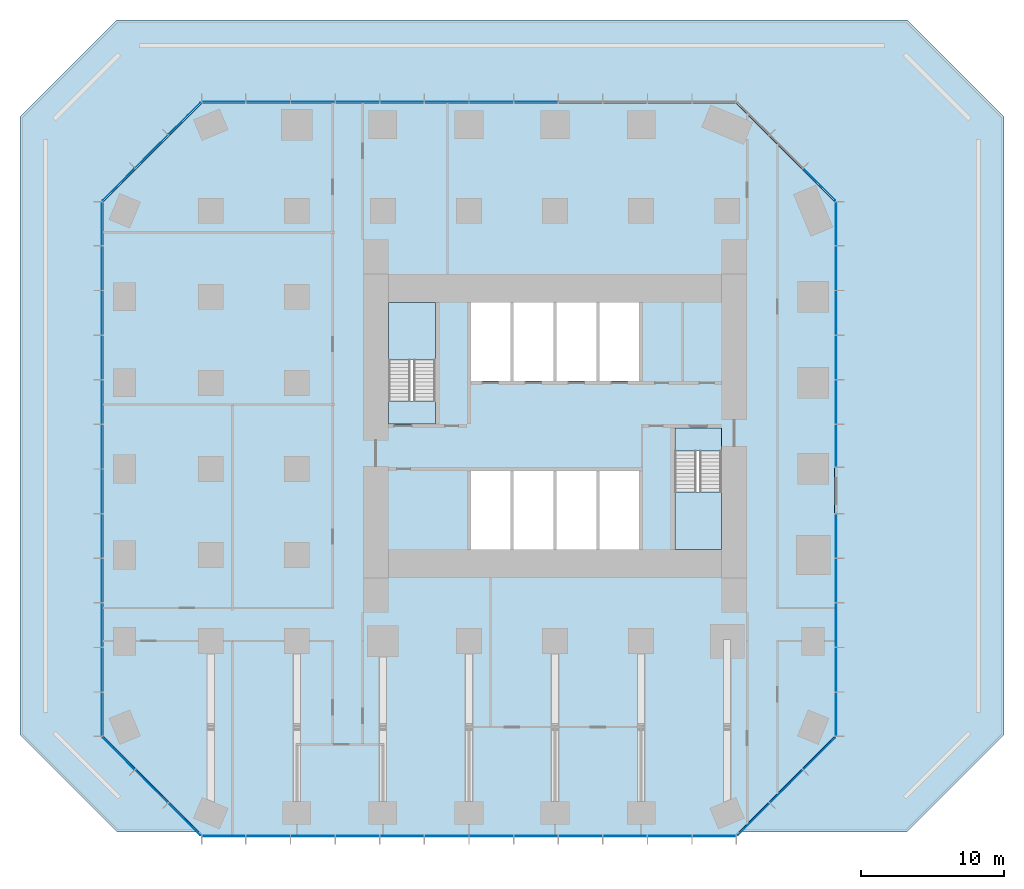
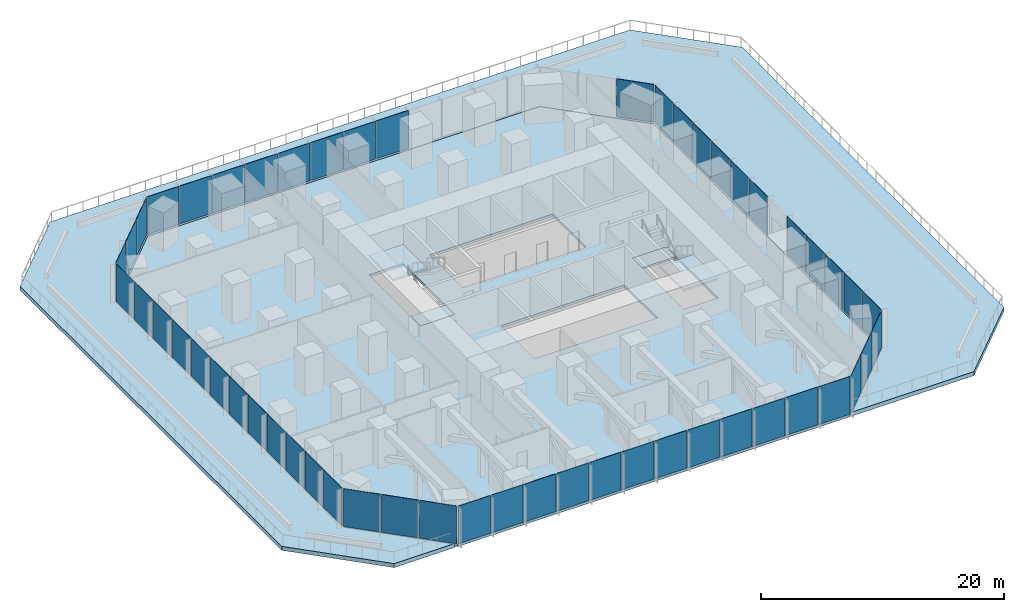
# One storey, part 7 of 11: 53 plates, 6 slabs, 11 elements without a shape of their own.
"""IFC4 building model written with IfcOpenShell, lengths in metres."""

from ifc_helpers import new_model, si_unit, direction, frame, origin, origin_2d, place, context, subcontext, project, spatial, polyline, rectangle, outline, extrude, material, layer, layer_set, type_object, element, aggregate, save


model = new_model("IFC4")

# Units and contexts
model_context = context("Model", 3, precision=1e-05, world=origin(), true_north=direction((0.0, 1.0)))
body_context = subcontext(model_context, "Body", "Model", "MODEL_VIEW")
ifc_project = project(units=[si_unit("LENGTHUNIT", "METRE"), si_unit("AREAUNIT", "SQUARE_METRE"), si_unit("VOLUMEUNIT", "CUBIC_METRE"), si_unit("PLANEANGLEUNIT", "RADIAN"), si_unit("MASSUNIT", "GRAM", prefix="KILO")], contexts=[model_context])

# Site, building, storey
site_placement = place(None, origin())
site = spatial("IfcSite", under=ifc_project, at=site_placement, CompositionType="ELEMENT")
building_placement = place(site_placement, origin())
building = spatial("IfcBuilding", under=site, at=building_placement, Name="Highveld Stack Headquarters", CompositionType="ELEMENT")
storey_placement = place(building_placement, frame((0.0, 0.0, 18.199951171875)))
storey = spatial("IfcBuildingStorey", under=building, at=storey_placement, Name="L03", CompositionType="ELEMENT", Elevation=18.199951171875)

# Curtain wall, plates
ifc_material_1 = material(Name="Aluminium bronze anodised", Category="aluminium")
ifc_layer_1 = layer(ifc_material_1, 0.199951171875)
ifc_layer_set_1 = layer_set([ifc_layer_1], Name="Aluminium bronze anodised")
curtain_wall_type_1 = type_object("IfcCurtainWallType", Name="CW1 TOWER UNITISED CURTAIN WALL", PredefinedType="NOTDEFINED", material=ifc_layer_set_1)
curtain_wall_1_placement = place(storey_placement, origin())
curtain_wall_1 = element("IfcCurtainWall", 1, at=curtain_wall_1_placement, inside=storey, type_object=curtain_wall_type_1, Name="Curtain wall CW1 L03 S", PredefinedType="NOTDEFINED")
ifc_material_2 = material(Name="Glass bronze tinted double glazed unit", Category="glass")
ifc_layer_2 = layer(ifc_material_2, 0.028076171875)
ifc_layer_set_2 = layer_set([ifc_layer_2], Name="Glass bronze tinted double glazed unit")
plate_type_1 = type_object("IfcPlateType", Name="CW1 PANEL BRONZE TINTED DOUBLE GLAZED UNIT", PredefinedType="CURTAIN_PANEL", material=ifc_layer_set_2)
plate_1_placement = place(storey_placement, frame((-17.09130859375, -25.60009765625, 0.10009765625), z_axis=(0.0, 0.0, 1.0), x_axis=(1.0, 0.0, 0.0)))
plate_1 = element("IfcPlate", 2, at=plate_1_placement, type_object=plate_type_1, Name="CW1 panel L03 1.1", PredefinedType="CURTAIN_PANEL", context=body_context, shape_type="SweptSolid", body=[
    extrude(rectangle(XDim=3.012939453125, YDim=0.028076171875, at=origin_2d()), origin(), (0.0, 0.0, 1.0), 3.800048828125),
])
plate_2_placement = place(storey_placement, frame((-13.9970703125, -25.60009765625, 0.10009765625), z_axis=(0.0, 0.0, 1.0), x_axis=(1.0, 0.0, 0.0)))
plate_2 = element("IfcPlate", 3, at=plate_2_placement, type_object=plate_type_1, Name="CW1 panel L03 2.1", PredefinedType="CURTAIN_PANEL", context=body_context, shape_type="SweptSolid", body=[
    extrude(rectangle(XDim=3.04541015625, YDim=0.028076171875, at=origin_2d()), origin(), (0.0, 0.0, 1.0), 3.800048828125),
])
plate_3_placement = place(storey_placement, frame((-10.88671875, -25.60009765625, 0.10009765625), z_axis=(0.0, 0.0, 1.0), x_axis=(1.0, 0.0, 0.0)))
plate_3 = element("IfcPlate", 4, at=plate_3_placement, type_object=plate_type_1, Name="CW1 panel L03 3.1", PredefinedType="CURTAIN_PANEL", context=body_context, shape_type="SweptSolid", body=[
    extrude(rectangle(XDim=3.04541015625, YDim=0.028076171875, at=origin_2d()), origin(), (0.0, 0.0, 1.0), 3.800048828125),
])
plate_4_placement = place(storey_placement, frame((-7.776123046875, -25.60009765625, 0.10009765625), z_axis=(0.0, 0.0, 1.0), x_axis=(1.0, 0.0, 0.0)))
plate_4 = element("IfcPlate", 5, at=plate_4_placement, type_object=plate_type_1, Name="CW1 panel L03 4.1", PredefinedType="CURTAIN_PANEL", context=body_context, shape_type="SweptSolid", body=[
    extrude(rectangle(XDim=3.04541015625, YDim=0.028076171875, at=origin_2d()), origin(), (0.0, 0.0, 1.0), 3.800048828125),
])
plate_5_placement = place(storey_placement, frame((-4.665771484375, -25.60009765625, 0.10009765625), z_axis=(0.0, 0.0, 1.0), x_axis=(1.0, 0.0, 0.0)))
plate_5 = element("IfcPlate", 6, at=plate_5_placement, type_object=plate_type_1, Name="CW1 panel L03 5.1", PredefinedType="CURTAIN_PANEL", context=body_context, shape_type="SweptSolid", body=[
    extrude(rectangle(XDim=3.04541015625, YDim=0.028076171875, at=origin_2d()), origin(), (0.0, 0.0, 1.0), 3.800048828125),
])
plate_6_placement = place(storey_placement, frame((-1.55517578125, -25.60009765625, 0.10009765625), z_axis=(0.0, 0.0, 1.0), x_axis=(1.0, 0.0, 0.0)))
plate_6 = element("IfcPlate", 7, at=plate_6_placement, type_object=plate_type_1, Name="CW1 panel L03 6.1", PredefinedType="CURTAIN_PANEL", context=body_context, shape_type="SweptSolid", body=[
    extrude(rectangle(XDim=3.04541015625, YDim=0.028076171875, at=origin_2d()), origin(), (0.0, 0.0, 1.0), 3.800048828125),
])
plate_7_placement = place(storey_placement, frame((1.55517578125, -25.60009765625, 0.10009765625), z_axis=(0.0, 0.0, 1.0), x_axis=(1.0, 0.0, 0.0)))
plate_7 = element("IfcPlate", 8, at=plate_7_placement, type_object=plate_type_1, Name="CW1 panel L03 7.1", PredefinedType="CURTAIN_PANEL", context=body_context, shape_type="SweptSolid", body=[
    extrude(rectangle(XDim=3.04541015625, YDim=0.028076171875, at=origin_2d()), origin(), (0.0, 0.0, 1.0), 3.800048828125),
])
plate_8_placement = place(storey_placement, frame((4.665771484375, -25.60009765625, 0.10009765625), z_axis=(0.0, 0.0, 1.0), x_axis=(1.0, 0.0, 0.0)))
plate_8 = element("IfcPlate", 9, at=plate_8_placement, type_object=plate_type_1, Name="CW1 panel L03 8.1", PredefinedType="CURTAIN_PANEL", context=body_context, shape_type="SweptSolid", body=[
    extrude(rectangle(XDim=3.04541015625, YDim=0.028076171875, at=origin_2d()), origin(), (0.0, 0.0, 1.0), 3.800048828125),
])
plate_9_placement = place(storey_placement, frame((7.776123046875, -25.60009765625, 0.10009765625), z_axis=(0.0, 0.0, 1.0), x_axis=(1.0, 0.0, 0.0)))
plate_9 = element("IfcPlate", 10, at=plate_9_placement, type_object=plate_type_1, Name="CW1 panel L03 9.1", PredefinedType="CURTAIN_PANEL", context=body_context, shape_type="SweptSolid", body=[
    extrude(rectangle(XDim=3.04541015625, YDim=0.028076171875, at=origin_2d()), origin(), (0.0, 0.0, 1.0), 3.800048828125),
])
plate_10_placement = place(storey_placement, frame((10.88671875, -25.60009765625, 0.10009765625), z_axis=(0.0, 0.0, 1.0), x_axis=(1.0, 0.0, 0.0)))
plate_10 = element("IfcPlate", 11, at=plate_10_placement, type_object=plate_type_1, Name="CW1 panel L03 10.1", PredefinedType="CURTAIN_PANEL", context=body_context, shape_type="SweptSolid", body=[
    extrude(rectangle(XDim=3.04541015625, YDim=0.028076171875, at=origin_2d()), origin(), (0.0, 0.0, 1.0), 3.800048828125),
])
plate_11_placement = place(storey_placement, frame((13.9970703125, -25.60009765625, 0.10009765625), z_axis=(0.0, 0.0, 1.0), x_axis=(1.0, 0.0, 0.0)))
plate_11 = element("IfcPlate", 12, at=plate_11_placement, type_object=plate_type_1, Name="CW1 panel L03 11.1", PredefinedType="CURTAIN_PANEL", context=body_context, shape_type="SweptSolid", body=[
    extrude(rectangle(XDim=3.04541015625, YDim=0.028076171875, at=origin_2d()), origin(), (0.0, 0.0, 1.0), 3.800048828125),
])
plate_12_placement = place(storey_placement, frame((17.09130859375, -25.60009765625, 0.10009765625), z_axis=(0.0, 0.0, 1.0), x_axis=(1.0, 0.0, 0.0)))
plate_12 = element("IfcPlate", 13, at=plate_12_placement, type_object=plate_type_1, Name="CW1 panel L03 12.1", PredefinedType="CURTAIN_PANEL", context=body_context, shape_type="SweptSolid", body=[
    extrude(rectangle(XDim=3.012939453125, YDim=0.028076171875, at=origin_2d()), origin(), (0.0, 0.0, 1.0), 3.800048828125),
])
aggregate(curtain_wall_1, [plate_1, plate_2, plate_3, plate_4, plate_5, plate_6, plate_7, plate_8, plate_9, plate_10, plate_11, plate_12])

curtain_wall_2_placement = place(storey_placement, origin())
curtain_wall_2 = element("IfcCurtainWall", 14, at=curtain_wall_2_placement, inside=storey, type_object=curtain_wall_type_1, Name="Curtain wall CW1 L03 E-1", PredefinedType="NOTDEFINED")
plate_13_placement = place(storey_placement, frame((25.60009765625, -17.09130859375, 0.10009765625), z_axis=(0.0, 0.0, 1.0), x_axis=(0.0, 1.0, 0.0)))
plate_13 = element("IfcPlate", 15, at=plate_13_placement, type_object=plate_type_1, Name="CW1 panel L03 1.1", PredefinedType="CURTAIN_PANEL", context=body_context, shape_type="SweptSolid", body=[
    extrude(rectangle(XDim=3.012939453125, YDim=0.028076171875, at=origin_2d()), origin(), (0.0, 0.0, 1.0), 3.800048828125),
])
plate_14_placement = place(storey_placement, frame((25.60009765625, -13.9970703125, 0.10009765625), z_axis=(0.0, 0.0, 1.0), x_axis=(0.0, 1.0, 0.0)))
plate_14 = element("IfcPlate", 16, at=plate_14_placement, type_object=plate_type_1, Name="CW1 panel L03 2.1", PredefinedType="CURTAIN_PANEL", context=body_context, shape_type="SweptSolid", body=[
    extrude(rectangle(XDim=3.04541015625, YDim=0.028076171875, at=origin_2d()), origin(), (0.0, 0.0, 1.0), 3.800048828125),
])
plate_15_placement = place(storey_placement, frame((25.60009765625, -10.88671875, 0.10009765625), z_axis=(0.0, 0.0, 1.0), x_axis=(0.0, 1.0, 0.0)))
plate_15 = element("IfcPlate", 17, at=plate_15_placement, type_object=plate_type_1, Name="CW1 panel L03 3.1", PredefinedType="CURTAIN_PANEL", context=body_context, shape_type="SweptSolid", body=[
    extrude(rectangle(XDim=3.04541015625, YDim=0.028076171875, at=origin_2d()), origin(), (0.0, 0.0, 1.0), 3.800048828125),
])
plate_16_placement = place(storey_placement, frame((25.60009765625, -7.776123046875, 0.10009765625), z_axis=(0.0, 0.0, 1.0), x_axis=(0.0, 1.0, 0.0)))
plate_16 = element("IfcPlate", 18, at=plate_16_placement, type_object=plate_type_1, Name="CW1 panel L03 4.1", PredefinedType="CURTAIN_PANEL", context=body_context, shape_type="SweptSolid", body=[
    extrude(rectangle(XDim=3.04541015625, YDim=0.028076171875, at=origin_2d()), origin(), (0.0, 0.0, 1.0), 3.800048828125),
])
plate_17_placement = place(storey_placement, frame((25.60009765625, -4.665771484375, 0.10009765625), z_axis=(0.0, 0.0, 1.0), x_axis=(0.0, 1.0, 0.0)))
plate_17 = element("IfcPlate", 19, at=plate_17_placement, type_object=plate_type_1, Name="CW1 panel L03 5.1", PredefinedType="CURTAIN_PANEL", context=body_context, shape_type="SweptSolid", body=[
    extrude(rectangle(XDim=3.04541015625, YDim=0.028076171875, at=origin_2d()), origin(), (0.0, 0.0, 1.0), 3.800048828125),
])
aggregate(curtain_wall_2, [plate_13, plate_14, plate_15, plate_16, plate_17])

curtain_wall_3_placement = place(storey_placement, origin())
curtain_wall_3 = element("IfcCurtainWall", 20, at=curtain_wall_3_placement, inside=storey, type_object=curtain_wall_type_1, Name="Curtain wall CW1 L03 E-2", PredefinedType="NOTDEFINED")
plate_18_placement = place(storey_placement, frame((25.60009765625, 1.60888671875, 0.10009765625), z_axis=(0.0, 0.0, 1.0), x_axis=(0.0, 1.0, 0.0)))
plate_18 = element("IfcPlate", 21, at=plate_18_placement, type_object=plate_type_1, Name="CW1 panel L03 7.1", PredefinedType="CURTAIN_PANEL", context=body_context, shape_type="SweptSolid", body=[
    extrude(rectangle(XDim=2.93798828125, YDim=0.028076171875, at=origin_2d()), origin(), (0.0, 0.0, 1.0), 3.800048828125),
])
plate_19_placement = place(storey_placement, frame((25.60009765625, 4.665771484375, 0.10009765625), z_axis=(0.0, 0.0, 1.0), x_axis=(0.0, 1.0, 0.0)))
plate_19 = element("IfcPlate", 22, at=plate_19_placement, type_object=plate_type_1, Name="CW1 panel L03 8.1", PredefinedType="CURTAIN_PANEL", context=body_context, shape_type="SweptSolid", body=[
    extrude(rectangle(XDim=3.04541015625, YDim=0.028076171875, at=origin_2d()), origin(), (0.0, 0.0, 1.0), 3.800048828125),
])
plate_20_placement = place(storey_placement, frame((25.60009765625, 7.776123046875, 0.10009765625), z_axis=(0.0, 0.0, 1.0), x_axis=(0.0, 1.0, 0.0)))
plate_20 = element("IfcPlate", 23, at=plate_20_placement, type_object=plate_type_1, Name="CW1 panel L03 9.1", PredefinedType="CURTAIN_PANEL", context=body_context, shape_type="SweptSolid", body=[
    extrude(rectangle(XDim=3.04541015625, YDim=0.028076171875, at=origin_2d()), origin(), (0.0, 0.0, 1.0), 3.800048828125),
])
plate_21_placement = place(storey_placement, frame((25.60009765625, 10.88671875, 0.10009765625), z_axis=(0.0, 0.0, 1.0), x_axis=(0.0, 1.0, 0.0)))
plate_21 = element("IfcPlate", 24, at=plate_21_placement, type_object=plate_type_1, Name="CW1 panel L03 10.1", PredefinedType="CURTAIN_PANEL", context=body_context, shape_type="SweptSolid", body=[
    extrude(rectangle(XDim=3.04541015625, YDim=0.028076171875, at=origin_2d()), origin(), (0.0, 0.0, 1.0), 3.800048828125),
])
plate_22_placement = place(storey_placement, frame((25.60009765625, 13.9970703125, 0.10009765625), z_axis=(0.0, 0.0, 1.0), x_axis=(0.0, 1.0, 0.0)))
plate_22 = element("IfcPlate", 25, at=plate_22_placement, type_object=plate_type_1, Name="CW1 panel L03 11.1", PredefinedType="CURTAIN_PANEL", context=body_context, shape_type="SweptSolid", body=[
    extrude(rectangle(XDim=3.04541015625, YDim=0.028076171875, at=origin_2d()), origin(), (0.0, 0.0, 1.0), 3.800048828125),
])
plate_23_placement = place(storey_placement, frame((25.60009765625, 17.09130859375, 0.10009765625), z_axis=(0.0, 0.0, 1.0), x_axis=(0.0, 1.0, 0.0)))
plate_23 = element("IfcPlate", 26, at=plate_23_placement, type_object=plate_type_1, Name="CW1 panel L03 12.1", PredefinedType="CURTAIN_PANEL", context=body_context, shape_type="SweptSolid", body=[
    extrude(rectangle(XDim=3.012939453125, YDim=0.028076171875, at=origin_2d()), origin(), (0.0, 0.0, 1.0), 3.800048828125),
])
aggregate(curtain_wall_3, [plate_18, plate_19, plate_20, plate_21, plate_22, plate_23])

curtain_wall_4_placement = place(storey_placement, origin())
curtain_wall_4 = element("IfcCurtainWall", 27, at=curtain_wall_4_placement, inside=storey, type_object=curtain_wall_type_1, Name="Curtain wall CW1 L03 N", PredefinedType="NOTDEFINED")
plate_24_placement = place(storey_placement, frame((4.665771484375, 25.60009765625, 0.10009765625), z_axis=(0.0, 0.0, 1.0), x_axis=(-1.0, 0.0, 0.0)))
plate_24 = element("IfcPlate", 28, at=plate_24_placement, type_object=plate_type_1, Name="CW1 panel L03 5.1", PredefinedType="CURTAIN_PANEL", context=body_context, shape_type="SweptSolid", body=[
    extrude(rectangle(XDim=3.04541015625, YDim=0.028076171875, at=origin_2d()), origin(), (0.0, 0.0, 1.0), 3.800048828125),
])
plate_25_placement = place(storey_placement, frame((1.55517578125, 25.60009765625, 0.10009765625), z_axis=(0.0, 0.0, 1.0), x_axis=(-1.0, 0.0, 0.0)))
plate_25 = element("IfcPlate", 29, at=plate_25_placement, type_object=plate_type_1, Name="CW1 panel L03 6.1", PredefinedType="CURTAIN_PANEL", context=body_context, shape_type="SweptSolid", body=[
    extrude(rectangle(XDim=3.04541015625, YDim=0.028076171875, at=origin_2d()), origin(), (0.0, 0.0, 1.0), 3.800048828125),
])
plate_26_placement = place(storey_placement, frame((-1.55517578125, 25.60009765625, 0.10009765625), z_axis=(0.0, 0.0, 1.0), x_axis=(-1.0, 0.0, 0.0)))
plate_26 = element("IfcPlate", 30, at=plate_26_placement, type_object=plate_type_1, Name="CW1 panel L03 7.1", PredefinedType="CURTAIN_PANEL", context=body_context, shape_type="SweptSolid", body=[
    extrude(rectangle(XDim=3.04541015625, YDim=0.028076171875, at=origin_2d()), origin(), (0.0, 0.0, 1.0), 3.800048828125),
])
plate_27_placement = place(storey_placement, frame((-4.665771484375, 25.60009765625, 0.10009765625), z_axis=(0.0, 0.0, 1.0), x_axis=(-1.0, 0.0, 0.0)))
plate_27 = element("IfcPlate", 31, at=plate_27_placement, type_object=plate_type_1, Name="CW1 panel L03 8.1", PredefinedType="CURTAIN_PANEL", context=body_context, shape_type="SweptSolid", body=[
    extrude(rectangle(XDim=3.04541015625, YDim=0.028076171875, at=origin_2d()), origin(), (0.0, 0.0, 1.0), 3.800048828125),
])
plate_28_placement = place(storey_placement, frame((-7.776123046875, 25.60009765625, 0.10009765625), z_axis=(0.0, 0.0, 1.0), x_axis=(-1.0, 0.0, 0.0)))
plate_28 = element("IfcPlate", 32, at=plate_28_placement, type_object=plate_type_1, Name="CW1 panel L03 9.1", PredefinedType="CURTAIN_PANEL", context=body_context, shape_type="SweptSolid", body=[
    extrude(rectangle(XDim=3.04541015625, YDim=0.028076171875, at=origin_2d()), origin(), (0.0, 0.0, 1.0), 3.800048828125),
])
plate_29_placement = place(storey_placement, frame((-10.88671875, 25.60009765625, 0.10009765625), z_axis=(0.0, 0.0, 1.0), x_axis=(-1.0, 0.0, 0.0)))
plate_29 = element("IfcPlate", 33, at=plate_29_placement, type_object=plate_type_1, Name="CW1 panel L03 10.1", PredefinedType="CURTAIN_PANEL", context=body_context, shape_type="SweptSolid", body=[
    extrude(rectangle(XDim=3.04541015625, YDim=0.028076171875, at=origin_2d()), origin(), (0.0, 0.0, 1.0), 3.800048828125),
])
plate_30_placement = place(storey_placement, frame((-13.9970703125, 25.60009765625, 0.10009765625), z_axis=(0.0, 0.0, 1.0), x_axis=(-1.0, 0.0, 0.0)))
plate_30 = element("IfcPlate", 34, at=plate_30_placement, type_object=plate_type_1, Name="CW1 panel L03 11.1", PredefinedType="CURTAIN_PANEL", context=body_context, shape_type="SweptSolid", body=[
    extrude(rectangle(XDim=3.04541015625, YDim=0.028076171875, at=origin_2d()), origin(), (0.0, 0.0, 1.0), 3.800048828125),
])
plate_31_placement = place(storey_placement, frame((-17.09130859375, 25.60009765625, 0.10009765625), z_axis=(0.0, 0.0, 1.0), x_axis=(-1.0, 0.0, 0.0)))
plate_31 = element("IfcPlate", 35, at=plate_31_placement, type_object=plate_type_1, Name="CW1 panel L03 12.1", PredefinedType="CURTAIN_PANEL", context=body_context, shape_type="SweptSolid", body=[
    extrude(rectangle(XDim=3.012939453125, YDim=0.028076171875, at=origin_2d()), origin(), (0.0, 0.0, 1.0), 3.800048828125),
])
aggregate(curtain_wall_4, [plate_24, plate_25, plate_26, plate_27, plate_28, plate_29, plate_30, plate_31])

curtain_wall_5_placement = place(storey_placement, origin())
curtain_wall_5 = element("IfcCurtainWall", 36, at=curtain_wall_5_placement, inside=storey, type_object=curtain_wall_type_1, Name="Curtain wall CW1 L03 W", PredefinedType="NOTDEFINED")
plate_32_placement = place(storey_placement, frame((-25.60009765625, 17.09130859375, 0.10009765625), z_axis=(0.0, 0.0, 1.0), x_axis=(0.0, -1.0, 0.0)))
plate_32 = element("IfcPlate", 37, at=plate_32_placement, type_object=plate_type_1, Name="CW1 panel L03 1.1", PredefinedType="CURTAIN_PANEL", context=body_context, shape_type="SweptSolid", body=[
    extrude(rectangle(XDim=3.012939453125, YDim=0.028076171875, at=origin_2d()), origin(), (0.0, 0.0, 1.0), 3.800048828125),
])
plate_33_placement = place(storey_placement, frame((-25.60009765625, 13.9970703125, 0.10009765625), z_axis=(0.0, 0.0, 1.0), x_axis=(0.0, -1.0, 0.0)))
plate_33 = element("IfcPlate", 38, at=plate_33_placement, type_object=plate_type_1, Name="CW1 panel L03 2.1", PredefinedType="CURTAIN_PANEL", context=body_context, shape_type="SweptSolid", body=[
    extrude(rectangle(XDim=3.04541015625, YDim=0.028076171875, at=origin_2d()), origin(), (0.0, 0.0, 1.0), 3.800048828125),
])
plate_34_placement = place(storey_placement, frame((-25.60009765625, 10.88671875, 0.10009765625), z_axis=(0.0, 0.0, 1.0), x_axis=(0.0, -1.0, 0.0)))
plate_34 = element("IfcPlate", 39, at=plate_34_placement, type_object=plate_type_1, Name="CW1 panel L03 3.1", PredefinedType="CURTAIN_PANEL", context=body_context, shape_type="SweptSolid", body=[
    extrude(rectangle(XDim=3.04541015625, YDim=0.028076171875, at=origin_2d()), origin(), (0.0, 0.0, 1.0), 3.800048828125),
])
plate_35_placement = place(storey_placement, frame((-25.60009765625, 7.776123046875, 0.10009765625), z_axis=(0.0, 0.0, 1.0), x_axis=(0.0, -1.0, 0.0)))
plate_35 = element("IfcPlate", 40, at=plate_35_placement, type_object=plate_type_1, Name="CW1 panel L03 4.1", PredefinedType="CURTAIN_PANEL", context=body_context, shape_type="SweptSolid", body=[
    extrude(rectangle(XDim=3.04541015625, YDim=0.028076171875, at=origin_2d()), origin(), (0.0, 0.0, 1.0), 3.800048828125),
])
plate_36_placement = place(storey_placement, frame((-25.60009765625, 4.665771484375, 0.10009765625), z_axis=(0.0, 0.0, 1.0), x_axis=(0.0, -1.0, 0.0)))
plate_36 = element("IfcPlate", 41, at=plate_36_placement, type_object=plate_type_1, Name="CW1 panel L03 5.1", PredefinedType="CURTAIN_PANEL", context=body_context, shape_type="SweptSolid", body=[
    extrude(rectangle(XDim=3.04541015625, YDim=0.028076171875, at=origin_2d()), origin(), (0.0, 0.0, 1.0), 3.800048828125),
])
plate_37_placement = place(storey_placement, frame((-25.60009765625, 1.55517578125, 0.10009765625), z_axis=(0.0, 0.0, 1.0), x_axis=(0.0, -1.0, 0.0)))
plate_37 = element("IfcPlate", 42, at=plate_37_placement, type_object=plate_type_1, Name="CW1 panel L03 6.1", PredefinedType="CURTAIN_PANEL", context=body_context, shape_type="SweptSolid", body=[
    extrude(rectangle(XDim=3.04541015625, YDim=0.028076171875, at=origin_2d()), origin(), (0.0, 0.0, 1.0), 3.800048828125),
])
plate_38_placement = place(storey_placement, frame((-25.60009765625, -1.55517578125, 0.10009765625), z_axis=(0.0, 0.0, 1.0), x_axis=(0.0, -1.0, 0.0)))
plate_38 = element("IfcPlate", 43, at=plate_38_placement, type_object=plate_type_1, Name="CW1 panel L03 7.1", PredefinedType="CURTAIN_PANEL", context=body_context, shape_type="SweptSolid", body=[
    extrude(rectangle(XDim=3.04541015625, YDim=0.028076171875, at=origin_2d()), origin(), (0.0, 0.0, 1.0), 3.800048828125),
])
plate_39_placement = place(storey_placement, frame((-25.60009765625, -4.665771484375, 0.10009765625), z_axis=(0.0, 0.0, 1.0), x_axis=(0.0, -1.0, 0.0)))
plate_39 = element("IfcPlate", 44, at=plate_39_placement, type_object=plate_type_1, Name="CW1 panel L03 8.1", PredefinedType="CURTAIN_PANEL", context=body_context, shape_type="SweptSolid", body=[
    extrude(rectangle(XDim=3.04541015625, YDim=0.028076171875, at=origin_2d()), origin(), (0.0, 0.0, 1.0), 3.800048828125),
])
plate_40_placement = place(storey_placement, frame((-25.60009765625, -7.776123046875, 0.10009765625), z_axis=(0.0, 0.0, 1.0), x_axis=(0.0, -1.0, 0.0)))
plate_40 = element("IfcPlate", 45, at=plate_40_placement, type_object=plate_type_1, Name="CW1 panel L03 9.1", PredefinedType="CURTAIN_PANEL", context=body_context, shape_type="SweptSolid", body=[
    extrude(rectangle(XDim=3.04541015625, YDim=0.028076171875, at=origin_2d()), origin(), (0.0, 0.0, 1.0), 3.800048828125),
])
plate_41_placement = place(storey_placement, frame((-25.60009765625, -10.88671875, 0.10009765625), z_axis=(0.0, 0.0, 1.0), x_axis=(0.0, -1.0, 0.0)))
plate_41 = element("IfcPlate", 46, at=plate_41_placement, type_object=plate_type_1, Name="CW1 panel L03 10.1", PredefinedType="CURTAIN_PANEL", context=body_context, shape_type="SweptSolid", body=[
    extrude(rectangle(XDim=3.04541015625, YDim=0.028076171875, at=origin_2d()), origin(), (0.0, 0.0, 1.0), 3.800048828125),
])
plate_42_placement = place(storey_placement, frame((-25.60009765625, -13.9970703125, 0.10009765625), z_axis=(0.0, 0.0, 1.0), x_axis=(0.0, -1.0, 0.0)))
plate_42 = element("IfcPlate", 47, at=plate_42_placement, type_object=plate_type_1, Name="CW1 panel L03 11.1", PredefinedType="CURTAIN_PANEL", context=body_context, shape_type="SweptSolid", body=[
    extrude(rectangle(XDim=3.04541015625, YDim=0.028076171875, at=origin_2d()), origin(), (0.0, 0.0, 1.0), 3.800048828125),
])
plate_43_placement = place(storey_placement, frame((-25.60009765625, -17.09130859375, 0.10009765625), z_axis=(0.0, 0.0, 1.0), x_axis=(0.0, -1.0, 0.0)))
plate_43 = element("IfcPlate", 48, at=plate_43_placement, type_object=plate_type_1, Name="CW1 panel L03 12.1", PredefinedType="CURTAIN_PANEL", context=body_context, shape_type="SweptSolid", body=[
    extrude(rectangle(XDim=3.012939453125, YDim=0.028076171875, at=origin_2d()), origin(), (0.0, 0.0, 1.0), 3.800048828125),
])
aggregate(curtain_wall_5, [plate_32, plate_33, plate_34, plate_35, plate_36, plate_37, plate_38, plate_39, plate_40, plate_41, plate_42, plate_43])

ifc_material_3 = material(Name="Aluminium bronze anodised", Category="aluminium")
ifc_layer_3 = layer(ifc_material_3, 0.199951171875)
ifc_layer_set_3 = layer_set([ifc_layer_3], Name="Aluminium bronze anodised")
curtain_wall_type_2 = type_object("IfcCurtainWallType", Name="CW2 TOWER CHAMFER UNITISED CURTAIN WALL", PredefinedType="NOTDEFINED", material=ifc_layer_set_3)
curtain_wall_6_placement = place(storey_placement, origin())
curtain_wall_6 = element("IfcCurtainWall", 49, at=curtain_wall_6_placement, inside=storey, type_object=curtain_wall_type_2, Name="Curtain wall CW2 L03 SE", PredefinedType="NOTDEFINED")
ifc_material_4 = material(Name="Glass bronze tinted double glazed unit", Category="glass")
ifc_layer_4 = layer(ifc_material_4, 0.028076171875)
ifc_layer_set_4 = layer_set([ifc_layer_4], Name="Glass bronze tinted double glazed unit")
plate_type_2 = type_object("IfcPlateType", Name="CW2 PANEL BRONZE TINTED DOUBLE GLAZED UNIT", PredefinedType="CURTAIN_PANEL", material=ifc_layer_set_4)
plate_44_placement = place(storey_placement, frame((19.8427734375, -24.419921875, 0.10009765625), z_axis=(0.0, 0.0, 1.0), x_axis=(0.707106781187, 0.707106781187, 0.0)))
plate_44 = element("IfcPlate", 50, at=plate_44_placement, type_object=plate_type_2, Name="CW2 panel L03 1.1", PredefinedType="CURTAIN_PANEL", context=body_context, shape_type="SweptSolid", body=[
    extrude(rectangle(XDim=3.1376953125, YDim=0.028076171875, at=origin_2d()), origin(), (0.0, 0.0, 1.0), 3.800048828125),
])
plate_45_placement = place(storey_placement, frame((22.13134765625, -22.13134765625, 0.10009765625), z_axis=(0.0, 0.0, 1.0), x_axis=(0.707106781187, 0.707106781187, 0.0)))
plate_45 = element("IfcPlate", 51, at=plate_45_placement, type_object=plate_type_2, Name="CW2 panel L03 2.1", PredefinedType="CURTAIN_PANEL", context=body_context, shape_type="SweptSolid", body=[
    extrude(rectangle(XDim=3.205322265625, YDim=0.028076171875, at=origin_2d()), origin(), (0.0, 0.0, 1.0), 3.800048828125),
])
plate_46_placement = place(storey_placement, frame((24.419921875, -19.8427734375, 0.10009765625), z_axis=(0.0, 0.0, 1.0), x_axis=(0.707106781187, 0.707106781187, 0.0)))
plate_46 = element("IfcPlate", 52, at=plate_46_placement, type_object=plate_type_2, Name="CW2 panel L03 3.1", PredefinedType="CURTAIN_PANEL", context=body_context, shape_type="SweptSolid", body=[
    extrude(rectangle(XDim=3.1376953125, YDim=0.028076171875, at=origin_2d()), origin(), (0.0, 0.0, 1.0), 3.800048828125),
])
aggregate(curtain_wall_6, [plate_44, plate_45, plate_46])

# Curtain wall, plate
curtain_wall_7_placement = place(storey_placement, origin())
curtain_wall_7 = element("IfcCurtainWall", 53, at=curtain_wall_7_placement, inside=storey, type_object=curtain_wall_type_2, Name="Curtain wall CW2 L03 NE", PredefinedType="NOTDEFINED")
plate_47_placement = place(storey_placement, frame((24.419921875, 19.8427734375, 0.10009765625), z_axis=(0.0, 0.0, 1.0), x_axis=(-0.707106781187, 0.707106781187, 0.0)))
plate_47 = element("IfcPlate", 54, at=plate_47_placement, type_object=plate_type_2, Name="CW2 panel L03 1.1", PredefinedType="CURTAIN_PANEL", context=body_context, shape_type="SweptSolid", body=[
    extrude(rectangle(XDim=3.1376953125, YDim=0.028076171875, at=origin_2d()), origin(), (0.0, 0.0, 1.0), 3.800048828125),
])
aggregate(curtain_wall_7, [plate_47])

# Curtain wall, plates
curtain_wall_8_placement = place(storey_placement, origin())
curtain_wall_8 = element("IfcCurtainWall", 55, at=curtain_wall_8_placement, inside=storey, type_object=curtain_wall_type_2, Name="Curtain wall CW2 L03 NW", PredefinedType="NOTDEFINED")
plate_48_placement = place(storey_placement, frame((-19.8427734375, 24.419921875, 0.10009765625), z_axis=(0.0, 0.0, 1.0), x_axis=(-0.707106781187, -0.707106781187, 0.0)))
plate_48 = element("IfcPlate", 56, at=plate_48_placement, type_object=plate_type_2, Name="CW2 panel L03 1.1", PredefinedType="CURTAIN_PANEL", context=body_context, shape_type="SweptSolid", body=[
    extrude(rectangle(XDim=3.1376953125, YDim=0.028076171875, at=origin_2d()), origin(), (0.0, 0.0, 1.0), 3.800048828125),
])
plate_49_placement = place(storey_placement, frame((-22.13134765625, 22.13134765625, 0.10009765625), z_axis=(0.0, 0.0, 1.0), x_axis=(-0.707106781187, -0.707106781187, 0.0)))
plate_49 = element("IfcPlate", 57, at=plate_49_placement, type_object=plate_type_2, Name="CW2 panel L03 2.1", PredefinedType="CURTAIN_PANEL", context=body_context, shape_type="SweptSolid", body=[
    extrude(rectangle(XDim=3.205322265625, YDim=0.028076171875, at=origin_2d()), origin(), (0.0, 0.0, 1.0), 3.800048828125),
])
plate_50_placement = place(storey_placement, frame((-24.419921875, 19.8427734375, 0.10009765625), z_axis=(0.0, 0.0, 1.0), x_axis=(-0.707106781187, -0.707106781187, 0.0)))
plate_50 = element("IfcPlate", 58, at=plate_50_placement, type_object=plate_type_2, Name="CW2 panel L03 3.1", PredefinedType="CURTAIN_PANEL", context=body_context, shape_type="SweptSolid", body=[
    extrude(rectangle(XDim=3.1376953125, YDim=0.028076171875, at=origin_2d()), origin(), (0.0, 0.0, 1.0), 3.800048828125),
])
aggregate(curtain_wall_8, [plate_48, plate_49, plate_50])

curtain_wall_9_placement = place(storey_placement, origin())
curtain_wall_9 = element("IfcCurtainWall", 59, at=curtain_wall_9_placement, inside=storey, type_object=curtain_wall_type_2, Name="Curtain wall CW2 L03 SW", PredefinedType="NOTDEFINED")
plate_51_placement = place(storey_placement, frame((-24.419921875, -19.8427734375, 0.10009765625), z_axis=(0.0, 0.0, 1.0), x_axis=(0.707106781187, -0.707106781187, 0.0)))
plate_51 = element("IfcPlate", 60, at=plate_51_placement, type_object=plate_type_2, Name="CW2 panel L03 1.1", PredefinedType="CURTAIN_PANEL", context=body_context, shape_type="SweptSolid", body=[
    extrude(rectangle(XDim=3.1376953125, YDim=0.028076171875, at=origin_2d()), origin(), (0.0, 0.0, 1.0), 3.800048828125),
])
plate_52_placement = place(storey_placement, frame((-22.13134765625, -22.13134765625, 0.10009765625), z_axis=(0.0, 0.0, 1.0), x_axis=(0.707106781187, -0.707106781187, 0.0)))
plate_52 = element("IfcPlate", 61, at=plate_52_placement, type_object=plate_type_2, Name="CW2 panel L03 2.1", PredefinedType="CURTAIN_PANEL", context=body_context, shape_type="SweptSolid", body=[
    extrude(rectangle(XDim=3.205322265625, YDim=0.028076171875, at=origin_2d()), origin(), (0.0, 0.0, 1.0), 3.800048828125),
])
plate_53_placement = place(storey_placement, frame((-19.8427734375, -24.419921875, 0.10009765625), z_axis=(0.0, 0.0, 1.0), x_axis=(0.707106781187, -0.707106781187, 0.0)))
plate_53 = element("IfcPlate", 62, at=plate_53_placement, type_object=plate_type_2, Name="CW2 panel L03 3.1", PredefinedType="CURTAIN_PANEL", context=body_context, shape_type="SweptSolid", body=[
    extrude(rectangle(XDim=3.1376953125, YDim=0.028076171875, at=origin_2d()), origin(), (0.0, 0.0, 1.0), 3.800048828125),
])
aggregate(curtain_wall_9, [plate_51, plate_52, plate_53])

# Slab
ifc_material_5 = material(Name="Concrete C60/75", Category="concrete")
ifc_layer_5 = layer(ifc_material_5, 0.25)
ifc_layer_set_5 = layer_set([ifc_layer_5], Name="Concrete C60/75")
slab_type_1 = type_object("IfcSlabType", Name="PT FLAT SLAB 250", PredefinedType="FLOOR", material=ifc_layer_set_5)
slab_1_placement = place(storey_placement, frame((0.0, 0.0, -0.25)))
element("IfcSlab", 63, at=slab_1_placement, inside=storey, type_object=slab_type_1, Name="Floor slab L03", PredefinedType="FLOOR", context=body_context, shape_type="SweptSolid", body=[
    extrude(outline(polyline([(-18.621337890625, -25.5), (18.621337890625, -25.5), (25.5, -18.621337890625), (25.5, 18.621337890625), (18.621337890625, 25.5), (-18.621337890625, 25.5), (-25.5, 18.621337890625), (-25.5, -18.621337890625), (-18.621337890625, -25.5)]), holes=[polyline([(0.14990234375, 6.14990234375), (11.85009765625, 6.14990234375), (11.85009765625, 11.60009765625), (0.14990234375, 11.60009765625), (0.14990234375, 6.14990234375)]), polyline([(0.14990234375, -5.60009765625), (11.85009765625, -5.60009765625), (11.85009765625, -0.14990234375), (0.14990234375, -0.14990234375), (0.14990234375, -5.60009765625)]), polyline([(-5.60009765625, 3.14990234375), (-2.35009765625, 3.14990234375), (-2.35009765625, 11.60009765625), (-5.60009765625, 11.60009765625), (-5.60009765625, 3.14990234375)]), polyline([(14.35009765625, -5.60009765625), (17.60009765625, -5.60009765625), (17.60009765625, 2.85009765625), (14.35009765625, 2.85009765625), (14.35009765625, -5.60009765625)])]), origin(), (0.0, 0.0, 1.0), 0.25),
])

# Stair, slabs
ifc_material_6 = material(Name="Concrete C40/50, precast", Category="concrete")
stair_type_1 = type_object("IfcStairType", Name="STAIR S1 HALF TURN 1500", PredefinedType="HALF_TURN_STAIR", material=ifc_material_6)
stair_1_placement = place(storey_placement, origin())
stair_1 = element("IfcStair", 64, at=stair_1_placement, inside=storey, type_object=stair_type_1, Name="Stair S1 L03", PredefinedType="HALF_TURN_STAIR")
ifc_material_7 = material(Name="Concrete C40/50, precast", Category="concrete")
ifc_layer_6 = layer(ifc_material_7, 0.199951171875)
ifc_layer_set_6 = layer_set([ifc_layer_6], Name="Concrete C40/50, precast")
slab_type_2 = type_object("IfcSlabType", Name="STAIR LANDING 200", PredefinedType="LANDING", material=ifc_layer_set_6)
slab_2_placement = place(storey_placement, frame((0.0, 0.0, 1.75)))
slab_2 = element("IfcSlab", 65, at=slab_2_placement, type_object=slab_type_2, Name="S1 landing 1", PredefinedType="LANDING", context=body_context, shape_type="SweptSolid", body=[
    extrude(outline(polyline([(-5.60009765625, 7.610107421875), (-2.35009765625, 7.610107421875), (-2.35009765625, 11.60009765625), (-5.60009765625, 11.60009765625), (-5.60009765625, 7.610107421875)])), origin(), (0.0, 0.0, 1.0), 0.199951171875),
])
slab_3_placement = place(storey_placement, frame((0.0, 0.0, -0.199951171875)))
slab_3 = element("IfcSlab", 66, at=slab_3_placement, type_object=slab_type_2, Name="S1 landing 2", PredefinedType="LANDING", context=body_context, shape_type="SweptSolid", body=[
    extrude(outline(polyline([(-5.60009765625, 3.14990234375), (-2.35009765625, 3.14990234375), (-2.35009765625, 4.75), (-5.60009765625, 4.75), (-5.60009765625, 3.14990234375)])), origin(), (0.0, 0.0, 1.0), 0.199951171875),
])
aggregate(stair_1, [slab_2, slab_3])

ifc_material_8 = material(Name="Concrete C40/50, precast", Category="concrete")
stair_type_2 = type_object("IfcStairType", Name="STAIR S2 HALF TURN 1500", PredefinedType="HALF_TURN_STAIR", material=ifc_material_8)
stair_2_placement = place(storey_placement, origin())
stair_2 = element("IfcStair", 67, at=stair_2_placement, inside=storey, type_object=stair_type_2, Name="Stair S2 L03", PredefinedType="HALF_TURN_STAIR")
slab_4_placement = place(storey_placement, frame((0.0, 0.0, 1.75)))
slab_4 = element("IfcSlab", 68, at=slab_4_placement, type_object=slab_type_2, Name="S2 landing 1", PredefinedType="LANDING", context=body_context, shape_type="SweptSolid", body=[
    extrude(outline(polyline([(14.35009765625, -5.60009765625), (17.60009765625, -5.60009765625), (17.60009765625, -1.610107421875), (14.35009765625, -1.610107421875), (14.35009765625, -5.60009765625)])), origin(), (0.0, 0.0, 1.0), 0.199951171875),
])
slab_5_placement = place(storey_placement, frame((0.0, 0.0, -0.199951171875)))
slab_5 = element("IfcSlab", 69, at=slab_5_placement, type_object=slab_type_2, Name="S2 landing 2", PredefinedType="LANDING", context=body_context, shape_type="SweptSolid", body=[
    extrude(outline(polyline([(14.35009765625, 1.25), (17.60009765625, 1.25), (17.60009765625, 2.85009765625), (14.35009765625, 2.85009765625), (14.35009765625, 1.25)])), origin(), (0.0, 0.0, 1.0), 0.199951171875),
])
aggregate(stair_2, [slab_4, slab_5])

# Slab
ifc_material_9 = material(Name="Concrete C60/75", Category="concrete")
ifc_layer_7 = layer(ifc_material_9, 0.39990234375)
ifc_layer_set_7 = layer_set([ifc_layer_7], Name="Concrete C60/75")
slab_type_3 = type_object("IfcSlabType", Name="TERRACE SLAB 400", PredefinedType="FLOOR", material=ifc_layer_set_7)
slab_6_placement = place(storey_placement, frame((0.0, 0.0, -0.39990234375)))
element("IfcSlab", 70, at=slab_6_placement, inside=storey, type_object=slab_type_3, Name="Planted terrace L03", PredefinedType="FLOOR", context=body_context, shape_type="SweptSolid", body=[
    extrude(outline(polyline([(-24.53857421875, -25.300048828125), (-31.300048828125, -18.53857421875), (-31.300048828125, 24.53857421875), (-24.53857421875, 31.300048828125), (30.53857421875, 31.300048828125), (37.300048828125, 24.53857421875), (37.300048828125, -18.53857421875), (30.53857421875, -25.300048828125), (18.8212890625, -25.300048828125), (25.5, -18.621337890625), (25.5, 18.621337890625), (18.621337890625, 25.5), (-18.621337890625, 25.5), (-25.5, 18.621337890625), (-25.5, -18.621337890625), (-18.8212890625, -25.300048828125), (-24.53857421875, -25.300048828125)])), origin(), (0.0, 0.0, 1.0), 0.39990234375),
])

save(model, "model.ifc")
